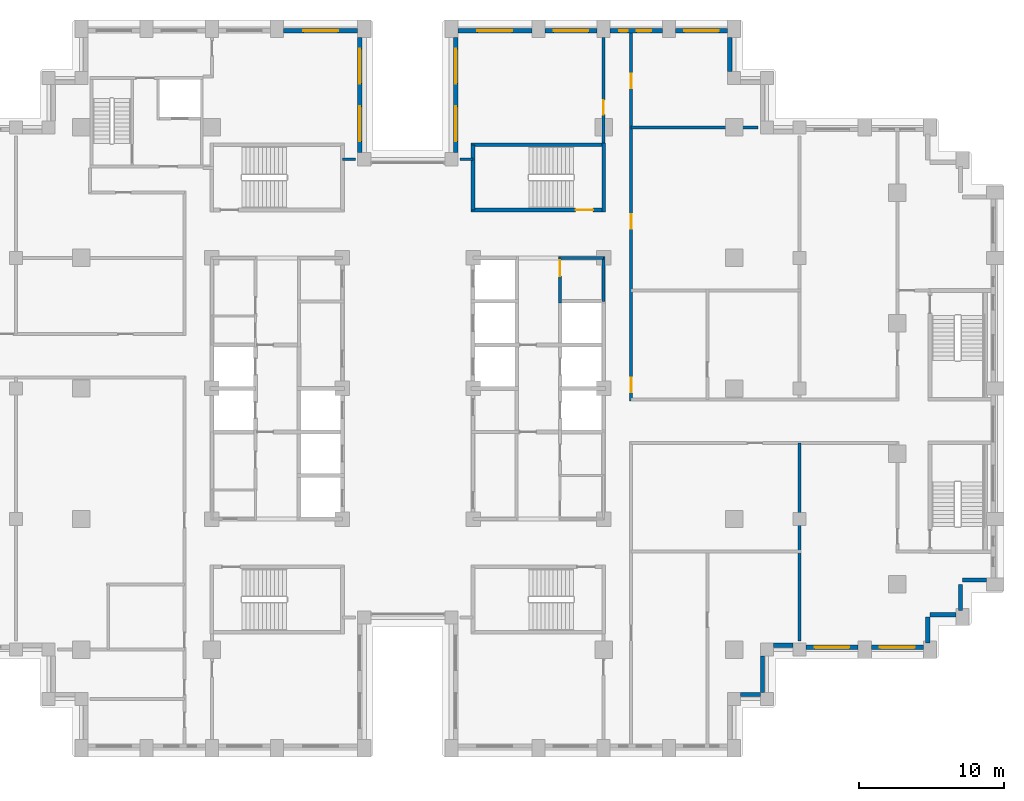
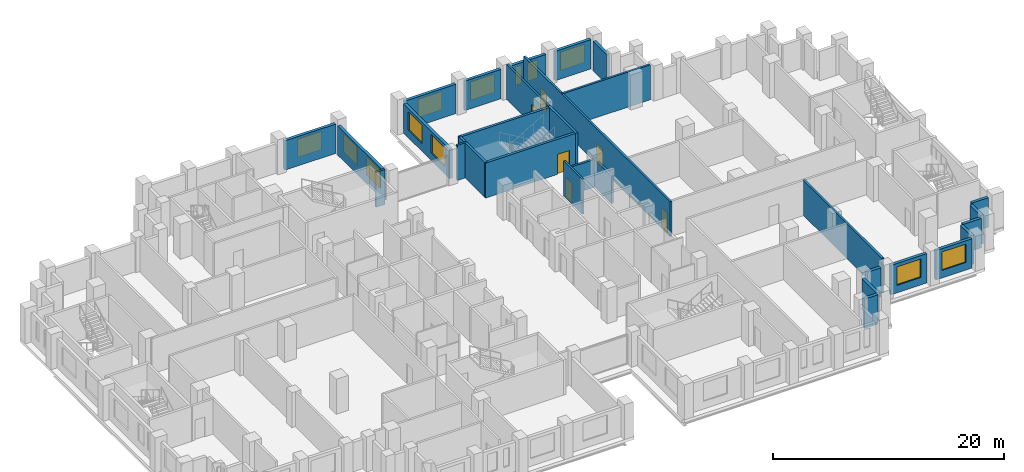
# One storey, part 11 of 16: 30 walls, 12 windows, 6 doors, 18 openings.
"""IFC4 building model written with IfcOpenShell, lengths in metres."""

from ifc_helpers import new_model, si_unit, direction, frame, frame_2d, origin, place, context, subcontext, project, spatial, rectangle, extrude, material, layer, layer_set, type_object, element, fill, save


model = new_model("IFC4")

# Units and contexts
model_context = context("Model", 3, precision=1e-05, world=origin(), true_north=direction((0.0, 1.0)))
body_context = subcontext(model_context, "Body", "Model", "MODEL_VIEW")
ifc_project = project(units=[si_unit("LENGTHUNIT", "METRE"), si_unit("AREAUNIT", "SQUARE_METRE"), si_unit("VOLUMEUNIT", "CUBIC_METRE"), si_unit("PLANEANGLEUNIT", "RADIAN"), si_unit("MASSUNIT", "GRAM", prefix="KILO")], contexts=[model_context])

# Site, building, storey
site_placement = place(None, origin())
site = spatial("IfcSite", under=ifc_project, at=site_placement, CompositionType="ELEMENT")
building_placement = place(site_placement, origin())
building = spatial("IfcBuilding", under=site, at=building_placement, Name="Corbelhall Arena Tower", CompositionType="ELEMENT")
storey_placement = place(building_placement, frame((0.0, 0.0, 72.0)))
storey = spatial("IfcBuildingStorey", under=building, at=storey_placement, Name="L10", CompositionType="ELEMENT", Elevation=72.0)

# Walls
ifc_material_1 = material(Name="Precast concrete C40/50 with granite facing", Category="masonry")
ifc_layer_1 = layer(ifc_material_1, 0.300048828125)
ifc_layer_set_1 = layer_set([ifc_layer_1], Name="EV-IW1 Infill panel 300")
wall_type_1 = type_object("IfcWallType", Name="EV-IW1 Infill panel 300", PredefinedType="SOLIDWALL", material=ifc_layer_set_1)
for number, where, z_axis, x_axis, name in (
    (1, (35.85009765625, -17.550048828125, 0.0), (0.0, 0.0, 1.0), (0.0, 1.0, 0.0), "Infill panel IW1"),
    (2, (37.800048828125, -15.60009765625, 0.0), (0.0, 0.0, 1.0), (-1.0, 0.0, 0.0), "Infill panel IW1"),
    (3, (38.10009765625, -15.300048828125, 0.0), (0.0, 0.0, 1.0), (0.0, 1.0, 0.0), "Infill panel IW1"),
):
    element("IfcWall", number, at=place(storey_placement, frame(where, z_axis=z_axis, x_axis=x_axis)), inside=storey, type_object=wall_type_1, Name=name, PredefinedType="SOLIDWALL", context=body_context, shape_type="SweptSolid", body=[
        extrude(rectangle(XDim=1.800048828125, YDim=0.300048828125, at=frame_2d((0.89990234375, 0.0))), origin(), (0.0, 0.0, 1.0), 3.10009765625),
    ])
wall_1_placement = place(storey_placement, frame((39.89990234375, -13.199951171875, 0.0), z_axis=(0.0, 0.0, 1.0), x_axis=(-1.0, 0.0, 0.0)))
element("IfcWall", 4, at=wall_1_placement, inside=storey, type_object=wall_type_1, Name="Infill panel IW1", PredefinedType="SOLIDWALL", context=body_context, shape_type="SweptSolid", body=[
    extrude(rectangle(XDim=1.64990234375, YDim=0.300048828125, at=frame_2d((0.824951171875, 0.0))), origin(), (0.0, 0.0, 1.0), 3.10009765625),
])
wall_2_placement = place(storey_placement, frame((22.949951171875, -21.10009765625, 0.0), z_axis=(0.0, 0.0, 1.0), x_axis=(1.0, 0.0, 0.0)))
element("IfcWall", 5, at=wall_2_placement, inside=storey, type_object=wall_type_1, Name="Infill panel IW1", PredefinedType="SOLIDWALL", context=body_context, shape_type="SweptSolid", body=[
    extrude(rectangle(XDim=1.35009765625, YDim=0.300048828125, at=frame_2d((0.675048828125, 0.0))), origin(), (0.0, 0.0, 1.0), 3.10009765625),
])
wall_3_placement = place(storey_placement, frame((24.449951171875, -20.949951171875, 0.0), z_axis=(0.0, 0.0, 1.0), x_axis=(0.0, 1.0, 0.0)))
element("IfcWall", 6, at=wall_3_placement, inside=storey, type_object=wall_type_1, Name="Infill panel IW1", PredefinedType="SOLIDWALL", context=body_context, shape_type="SweptSolid", body=[
    extrude(rectangle(XDim=2.5, YDim=0.300048828125, at=frame_2d((1.25, 0.0))), origin(), (0.0, 0.0, 1.0), 3.10009765625),
])
wall_4_placement = place(storey_placement, frame((25.199951171875, -17.699951171875, 0.0), z_axis=(0.0, 0.0, 1.0), x_axis=(1.0, 0.0, 0.0)))
element("IfcWall", 7, at=wall_4_placement, inside=storey, type_object=wall_type_1, Name="Infill panel IW1", PredefinedType="SOLIDWALL", context=body_context, shape_type="SweptSolid", body=[
    extrude(rectangle(XDim=1.35009765625, YDim=0.300048828125, at=frame_2d((0.675048828125, 0.0))), origin(), (0.0, 0.0, 1.0), 3.10009765625),
])

# Wall, opening, window
wall_5_placement = place(storey_placement, frame((27.449951171875, -17.85009765625, 0.0), z_axis=(0.0, 0.0, 1.0), x_axis=(1.0, 0.0, 0.0)))
wall_5 = element("IfcWall", 8, at=wall_5_placement, inside=storey, type_object=wall_type_1, Name="Infill panel IW1", PredefinedType="SOLIDWALL", context=body_context, shape_type="SweptSolid", body=[
    extrude(rectangle(XDim=3.60009765625, YDim=0.300048828125, at=frame_2d((1.800048828125, 0.0))), origin(), (0.0, 0.0, 1.0), 3.10009765625),
])
opening_1_placement = place(wall_5_placement, frame((0.60009765625, 0.0, 0.800048828125)))
opening_1 = element("IfcOpeningElement", 9, at=opening_1_placement, cuts=wall_5, Name="Opening WN1", PredefinedType="OPENING", context=body_context, shape_type="SweptSolid", body=[
    extrude(rectangle(XDim=2.39990234375, YDim=1.949951171875, at=frame_2d((1.199951171875, 0.97509765625))), frame((0.0, 0.14990234375, 0.0), z_axis=(0.0, -1.0, 0.0), x_axis=(1.0, 0.0, 0.0)), (0.0, 0.0, 1.0), 0.300048828125),
])
ifc_material_2 = material(Name="Aluminium black anodised", Category="aluminium")
window_type_1 = type_object("IfcWindowType", Name="EV-WN1 Office window", PartitioningType="SINGLE_PANEL", PredefinedType="WINDOW", material=ifc_material_2)
window_1_placement = place(opening_1_placement, origin())
window_1 = element("IfcWindow", 10, at=window_1_placement, inside=storey, type_object=window_type_1, Name="Window WN1", OverallHeight=1.949951171875, OverallWidth=2.39990234375, PartitioningType="SINGLE_PANEL", PredefinedType="WINDOW", context=body_context, shape_type="SweptSolid", body=[
    extrude(rectangle(XDim=2.39990234375, YDim=1.949951171875, at=frame_2d((1.199951171875, 0.97509765625))), frame((0.0, 0.030029296875, 0.0), z_axis=(0.0, -1.0, 0.0), x_axis=(1.0, 0.0, 0.0)), (0.0, 0.0, 1.0), 0.06005859375),
])
fill(opening_1, window_1)

wall_6_placement = place(storey_placement, frame((31.949951171875, -17.85009765625, 0.0), z_axis=(0.0, 0.0, 1.0), x_axis=(1.0, 0.0, 0.0)))
wall_6 = element("IfcWall", 11, at=wall_6_placement, inside=storey, type_object=wall_type_1, Name="Infill panel IW1", PredefinedType="SOLIDWALL", context=body_context, shape_type="SweptSolid", body=[
    extrude(rectangle(XDim=3.60009765625, YDim=0.300048828125, at=frame_2d((1.800048828125, 0.0))), origin(), (0.0, 0.0, 1.0), 3.10009765625),
])
opening_2_placement = place(wall_6_placement, frame((0.60009765625, 0.0, 0.800048828125)))
opening_2 = element("IfcOpeningElement", 12, at=opening_2_placement, cuts=wall_6, Name="Opening WN1", PredefinedType="OPENING", context=body_context, shape_type="SweptSolid", body=[
    extrude(rectangle(XDim=2.39990234375, YDim=1.949951171875, at=frame_2d((1.199951171875, 0.97509765625))), frame((0.0, 0.14990234375, 0.0), z_axis=(0.0, -1.0, 0.0), x_axis=(1.0, 0.0, 0.0)), (0.0, 0.0, 1.0), 0.300048828125),
])
window_2_placement = place(opening_2_placement, origin())
window_2 = element("IfcWindow", 13, at=window_2_placement, inside=storey, type_object=window_type_1, Name="Window WN1", OverallHeight=1.949951171875, OverallWidth=2.39990234375, PartitioningType="SINGLE_PANEL", PredefinedType="WINDOW", context=body_context, shape_type="SweptSolid", body=[
    extrude(rectangle(XDim=2.39990234375, YDim=1.949951171875, at=frame_2d((1.199951171875, 0.97509765625))), frame((0.0, 0.030029296875, 0.0), z_axis=(0.0, -1.0, 0.0), x_axis=(1.0, 0.0, 0.0)), (0.0, 0.0, 1.0), 0.06005859375),
])
fill(opening_2, window_2)

# Wall
wall_7_placement = place(storey_placement, frame((22.199951171875, 21.85009765625, 0.0), z_axis=(0.0, 0.0, 1.0), x_axis=(0.0, 1.0, 0.0)))
element("IfcWall", 14, at=wall_7_placement, inside=storey, type_object=wall_type_1, Name="Infill panel IW1", PredefinedType="SOLIDWALL", context=body_context, shape_type="SweptSolid", body=[
    extrude(rectangle(XDim=2.349853515625, YDim=0.300048828125, at=frame_2d((1.1748046875, 0.0))), origin(), (0.0, 0.0, 1.0), 3.10009765625),
])

# Wall, opening, window
wall_8_placement = place(storey_placement, frame((22.050048828125, 24.64990234375, 0.0), z_axis=(0.0, 0.0, 1.0), x_axis=(-1.0, 0.0, 0.0)))
wall_8 = element("IfcWall", 15, at=wall_8_placement, inside=storey, type_object=wall_type_1, Name="Infill panel IW1", PredefinedType="SOLIDWALL", context=body_context, shape_type="SweptSolid", body=[
    extrude(rectangle(XDim=3.60009765625, YDim=0.300048828125, at=frame_2d((1.800048828125, 0.0))), origin(), (0.0, 0.0, 1.0), 3.10009765625),
])
opening_3_placement = place(wall_8_placement, frame((0.60009765625, 0.0, 0.800048828125)))
opening_3 = element("IfcOpeningElement", 16, at=opening_3_placement, cuts=wall_8, Name="Opening WN1", PredefinedType="OPENING", context=body_context, shape_type="SweptSolid", body=[
    extrude(rectangle(XDim=2.39990234375, YDim=1.949951171875, at=frame_2d((1.199951171875, 0.97509765625))), frame((0.0, 0.14990234375, 0.0), z_axis=(0.0, -1.0, 0.0), x_axis=(1.0, 0.0, 0.0)), (0.0, 0.0, 1.0), 0.300048828125),
])
window_3_placement = place(opening_3_placement, origin())
window_3 = element("IfcWindow", 17, at=window_3_placement, inside=storey, type_object=window_type_1, Name="Window WN1", OverallHeight=1.949951171875, OverallWidth=2.39990234375, PartitioningType="SINGLE_PANEL", PredefinedType="WINDOW", context=body_context, shape_type="SweptSolid", body=[
    extrude(rectangle(XDim=2.39990234375, YDim=1.949951171875, at=frame_2d((1.199951171875, 0.97509765625))), frame((0.0, 0.030029296875, 0.0), z_axis=(0.0, -1.0, 0.0), x_axis=(1.0, 0.0, 0.0)), (0.0, 0.0, 1.0), 0.06005859375),
])
fill(opening_3, window_3)

# Wall, openings, windows
wall_9_placement = place(storey_placement, frame((17.550048828125, 24.64990234375, 0.0), z_axis=(0.0, 0.0, 1.0), x_axis=(-1.0, 0.0, 0.0)))
wall_9 = element("IfcWall", 18, at=wall_9_placement, inside=storey, type_object=wall_type_1, Name="Infill panel IW1", PredefinedType="SOLIDWALL", context=body_context, shape_type="SweptSolid", body=[
    extrude(rectangle(XDim=3.60009765625, YDim=0.300048828125, at=frame_2d((1.800048828125, 0.0))), origin(), (0.0, 0.0, 1.0), 3.10009765625),
])
opening_4_placement = place(wall_9_placement, frame((0.77490234375, 0.0, 0.800048828125)))
opening_4 = element("IfcOpeningElement", 19, at=opening_4_placement, cuts=wall_9, Name="Opening WN6", PredefinedType="OPENING", context=body_context, shape_type="SweptSolid", body=[
    extrude(rectangle(XDim=1.0, YDim=1.949951171875, at=frame_2d((0.5, 0.97509765625))), frame((0.0, 0.14990234375, 0.0), z_axis=(0.0, -1.0, 0.0), x_axis=(1.0, 0.0, 0.0)), (0.0, 0.0, 1.0), 0.300048828125),
])
opening_5_placement = place(wall_9_placement, frame((2.375, 0.0, 0.800048828125)))
opening_5 = element("IfcOpeningElement", 20, at=opening_5_placement, cuts=wall_9, Name="Opening WN5", PredefinedType="OPENING", context=body_context, shape_type="SweptSolid", body=[
    extrude(rectangle(XDim=0.60009765625, YDim=1.949951171875, at=frame_2d((0.300048828125, 0.97509765625))), frame((0.0, 0.14990234375, 0.0), z_axis=(0.0, -1.0, 0.0), x_axis=(1.0, 0.0, 0.0)), (0.0, 0.0, 1.0), 0.300048828125),
])
window_type_2 = type_object("IfcWindowType", Name="EV-WN5 Office window 600", PartitioningType="SINGLE_PANEL", PredefinedType="WINDOW", material=ifc_material_2)
window_4_placement = place(opening_5_placement, origin())
window_4 = element("IfcWindow", 21, at=window_4_placement, inside=storey, type_object=window_type_2, Name="Window WN5", OverallHeight=1.949951171875, OverallWidth=0.60009765625, PartitioningType="SINGLE_PANEL", PredefinedType="WINDOW", context=body_context, shape_type="SweptSolid", body=[
    extrude(rectangle(XDim=0.60009765625, YDim=1.949951171875, at=frame_2d((0.300048828125, 0.97509765625))), frame((0.0, 0.030029296875, 0.0), z_axis=(0.0, -1.0, 0.0), x_axis=(1.0, 0.0, 0.0)), (0.0, 0.0, 1.0), 0.06005859375),
])
fill(opening_5, window_4)
window_type_3 = type_object("IfcWindowType", Name="EV-WN6 Office window 1000", PartitioningType="SINGLE_PANEL", PredefinedType="WINDOW", material=ifc_material_2)
window_5_placement = place(opening_4_placement, origin())
window_5 = element("IfcWindow", 22, at=window_5_placement, inside=storey, type_object=window_type_3, Name="Window WN6", OverallHeight=1.949951171875, OverallWidth=1.0, PartitioningType="SINGLE_PANEL", PredefinedType="WINDOW", context=body_context, shape_type="SweptSolid", body=[
    extrude(rectangle(XDim=1.0, YDim=1.949951171875, at=frame_2d((0.5, 0.97509765625))), frame((0.0, 0.030029296875, 0.0), z_axis=(0.0, -1.0, 0.0), x_axis=(1.0, 0.0, 0.0)), (0.0, 0.0, 1.0), 0.06005859375),
])
fill(opening_4, window_5)

# Wall, opening, window
wall_10_placement = place(storey_placement, frame((13.050048828125, 24.64990234375, 0.0), z_axis=(0.0, 0.0, 1.0), x_axis=(-1.0, 0.0, 0.0)))
wall_10 = element("IfcWall", 23, at=wall_10_placement, inside=storey, type_object=wall_type_1, Name="Infill panel IW1", PredefinedType="SOLIDWALL", context=body_context, shape_type="SweptSolid", body=[
    extrude(rectangle(XDim=3.60009765625, YDim=0.300048828125, at=frame_2d((1.800048828125, 0.0))), origin(), (0.0, 0.0, 1.0), 3.10009765625),
])
opening_6_placement = place(wall_10_placement, frame((0.60009765625, 0.0, 0.800048828125)))
opening_6 = element("IfcOpeningElement", 24, at=opening_6_placement, cuts=wall_10, Name="Opening WN1", PredefinedType="OPENING", context=body_context, shape_type="SweptSolid", body=[
    extrude(rectangle(XDim=2.39990234375, YDim=1.949951171875, at=frame_2d((1.199951171875, 0.97509765625))), frame((0.0, 0.14990234375, 0.0), z_axis=(0.0, -1.0, 0.0), x_axis=(1.0, 0.0, 0.0)), (0.0, 0.0, 1.0), 0.300048828125),
])
window_6_placement = place(opening_6_placement, origin())
window_6 = element("IfcWindow", 25, at=window_6_placement, inside=storey, type_object=window_type_1, Name="Window WN1", OverallHeight=1.949951171875, OverallWidth=2.39990234375, PartitioningType="SINGLE_PANEL", PredefinedType="WINDOW", context=body_context, shape_type="SweptSolid", body=[
    extrude(rectangle(XDim=2.39990234375, YDim=1.949951171875, at=frame_2d((1.199951171875, 0.97509765625))), frame((0.0, 0.030029296875, 0.0), z_axis=(0.0, -1.0, 0.0), x_axis=(1.0, 0.0, 0.0)), (0.0, 0.0, 1.0), 0.06005859375),
])
fill(opening_6, window_6)

wall_11_placement = place(storey_placement, frame((8.550048828125, 24.64990234375, 0.0), z_axis=(0.0, 0.0, 1.0), x_axis=(-1.0, 0.0, 0.0)))
wall_11 = element("IfcWall", 26, at=wall_11_placement, inside=storey, type_object=wall_type_1, Name="Infill panel IW1", PredefinedType="SOLIDWALL", context=body_context, shape_type="SweptSolid", body=[
    extrude(rectangle(XDim=5.10009765625, YDim=0.300048828125, at=frame_2d((2.550048828125, 0.0))), origin(), (0.0, 0.0, 1.0), 3.10009765625),
])
opening_7_placement = place(wall_11_placement, frame((1.35009765625, 0.0, 0.800048828125)))
opening_7 = element("IfcOpeningElement", 27, at=opening_7_placement, cuts=wall_11, Name="Opening WN1", PredefinedType="OPENING", context=body_context, shape_type="SweptSolid", body=[
    extrude(rectangle(XDim=2.39990234375, YDim=1.949951171875, at=frame_2d((1.199951171875, 0.97509765625))), frame((0.0, 0.14990234375, 0.0), z_axis=(0.0, -1.0, 0.0), x_axis=(1.0, 0.0, 0.0)), (0.0, 0.0, 1.0), 0.300048828125),
])
window_7_placement = place(opening_7_placement, origin())
window_7 = element("IfcWindow", 28, at=window_7_placement, inside=storey, type_object=window_type_1, Name="Window WN1", OverallHeight=1.949951171875, OverallWidth=2.39990234375, PartitioningType="SINGLE_PANEL", PredefinedType="WINDOW", context=body_context, shape_type="SweptSolid", body=[
    extrude(rectangle(XDim=2.39990234375, YDim=1.949951171875, at=frame_2d((1.199951171875, 0.97509765625))), frame((0.0, 0.030029296875, 0.0), z_axis=(0.0, -1.0, 0.0), x_axis=(1.0, 0.0, 0.0)), (0.0, 0.0, 1.0), 0.06005859375),
])
fill(opening_7, window_7)

# Wall, openings, windows
wall_12_placement = place(storey_placement, frame((3.300048828125, 24.199951171875, 0.0), z_axis=(0.0, 0.0, 1.0), x_axis=(0.0, -1.0, 0.0)))
wall_12 = element("IfcWall", 29, at=wall_12_placement, inside=storey, type_object=wall_type_1, Name="Infill panel IW1", PredefinedType="SOLIDWALL", context=body_context, shape_type="SweptSolid", body=[
    extrude(rectangle(XDim=7.949951171875, YDim=0.300048828125, at=frame_2d((3.97509765625, 0.0))), origin(), (0.0, 0.0, 1.0), 3.10009765625),
])
opening_8_placement = place(wall_12_placement, frame((0.78759765625, 0.0, 0.800048828125)))
opening_8 = element("IfcOpeningElement", 30, at=opening_8_placement, cuts=wall_12, Name="Opening WN1", PredefinedType="OPENING", context=body_context, shape_type="SweptSolid", body=[
    extrude(rectangle(XDim=2.39990234375, YDim=1.949951171875, at=frame_2d((1.199951171875, 0.97509765625))), frame((0.0, 0.14990234375, 0.0), z_axis=(0.0, -1.0, 0.0), x_axis=(1.0, 0.0, 0.0)), (0.0, 0.0, 1.0), 0.300048828125),
])
opening_9_placement = place(wall_12_placement, frame((4.762451171875, 0.0, 0.800048828125)))
opening_9 = element("IfcOpeningElement", 31, at=opening_9_placement, cuts=wall_12, Name="Opening WN1", PredefinedType="OPENING", context=body_context, shape_type="SweptSolid", body=[
    extrude(rectangle(XDim=2.39990234375, YDim=1.949951171875, at=frame_2d((1.199951171875, 0.97509765625))), frame((0.0, 0.14990234375, 0.0), z_axis=(0.0, -1.0, 0.0), x_axis=(1.0, 0.0, 0.0)), (0.0, 0.0, 1.0), 0.300048828125),
])
window_8_placement = place(opening_8_placement, origin())
window_8 = element("IfcWindow", 32, at=window_8_placement, inside=storey, type_object=window_type_1, Name="Window WN1", OverallHeight=1.949951171875, OverallWidth=2.39990234375, PartitioningType="SINGLE_PANEL", PredefinedType="WINDOW", context=body_context, shape_type="SweptSolid", body=[
    extrude(rectangle(XDim=2.39990234375, YDim=1.949951171875, at=frame_2d((1.199951171875, 0.97509765625))), frame((0.0, 0.030029296875, 0.0), z_axis=(0.0, -1.0, 0.0), x_axis=(1.0, 0.0, 0.0)), (0.0, 0.0, 1.0), 0.06005859375),
])
fill(opening_8, window_8)
window_9_placement = place(opening_9_placement, origin())
window_9 = element("IfcWindow", 33, at=window_9_placement, inside=storey, type_object=window_type_1, Name="Window WN1", OverallHeight=1.949951171875, OverallWidth=2.39990234375, PartitioningType="SINGLE_PANEL", PredefinedType="WINDOW", context=body_context, shape_type="SweptSolid", body=[
    extrude(rectangle(XDim=2.39990234375, YDim=1.949951171875, at=frame_2d((1.199951171875, 0.97509765625))), frame((0.0, 0.030029296875, 0.0), z_axis=(0.0, -1.0, 0.0), x_axis=(1.0, 0.0, 0.0)), (0.0, 0.0, 1.0), 0.06005859375),
])
fill(opening_9, window_9)

wall_13_placement = place(storey_placement, frame((-3.300048828125, 16.25, 0.0), z_axis=(0.0, 0.0, 1.0), x_axis=(0.0, 1.0, 0.0)))
wall_13 = element("IfcWall", 34, at=wall_13_placement, inside=storey, type_object=wall_type_1, Name="Infill panel IW1", PredefinedType="SOLIDWALL", context=body_context, shape_type="SweptSolid", body=[
    extrude(rectangle(XDim=7.949951171875, YDim=0.300048828125, at=frame_2d((3.97509765625, 0.0))), origin(), (0.0, 0.0, 1.0), 3.10009765625),
])
opening_10_placement = place(wall_13_placement, frame((0.78759765625, 0.0, 0.800048828125)))
opening_10 = element("IfcOpeningElement", 35, at=opening_10_placement, cuts=wall_13, Name="Opening WN1", PredefinedType="OPENING", context=body_context, shape_type="SweptSolid", body=[
    extrude(rectangle(XDim=2.39990234375, YDim=1.949951171875, at=frame_2d((1.199951171875, 0.97509765625))), frame((0.0, 0.14990234375, 0.0), z_axis=(0.0, -1.0, 0.0), x_axis=(1.0, 0.0, 0.0)), (0.0, 0.0, 1.0), 0.300048828125),
])
opening_11_placement = place(wall_13_placement, frame((4.762451171875, 0.0, 0.800048828125)))
opening_11 = element("IfcOpeningElement", 36, at=opening_11_placement, cuts=wall_13, Name="Opening WN1", PredefinedType="OPENING", context=body_context, shape_type="SweptSolid", body=[
    extrude(rectangle(XDim=2.39990234375, YDim=1.949951171875, at=frame_2d((1.199951171875, 0.97509765625))), frame((0.0, 0.14990234375, 0.0), z_axis=(0.0, -1.0, 0.0), x_axis=(1.0, 0.0, 0.0)), (0.0, 0.0, 1.0), 0.300048828125),
])
window_10_placement = place(opening_10_placement, origin())
window_10 = element("IfcWindow", 37, at=window_10_placement, inside=storey, type_object=window_type_1, Name="Window WN1", OverallHeight=1.949951171875, OverallWidth=2.39990234375, PartitioningType="SINGLE_PANEL", PredefinedType="WINDOW", context=body_context, shape_type="SweptSolid", body=[
    extrude(rectangle(XDim=2.39990234375, YDim=1.949951171875, at=frame_2d((1.199951171875, 0.97509765625))), frame((0.0, 0.030029296875, 0.0), z_axis=(0.0, -1.0, 0.0), x_axis=(1.0, 0.0, 0.0)), (0.0, 0.0, 1.0), 0.06005859375),
])
fill(opening_10, window_10)
window_11_placement = place(opening_11_placement, origin())
window_11 = element("IfcWindow", 38, at=window_11_placement, inside=storey, type_object=window_type_1, Name="Window WN1", OverallHeight=1.949951171875, OverallWidth=2.39990234375, PartitioningType="SINGLE_PANEL", PredefinedType="WINDOW", context=body_context, shape_type="SweptSolid", body=[
    extrude(rectangle(XDim=2.39990234375, YDim=1.949951171875, at=frame_2d((1.199951171875, 0.97509765625))), frame((0.0, 0.030029296875, 0.0), z_axis=(0.0, -1.0, 0.0), x_axis=(1.0, 0.0, 0.0)), (0.0, 0.0, 1.0), 0.06005859375),
])
fill(opening_11, window_11)

# Wall, opening, window
wall_14_placement = place(storey_placement, frame((-3.449951171875, 24.64990234375, 0.0), z_axis=(0.0, 0.0, 1.0), x_axis=(-1.0, 0.0, 0.0)))
wall_14 = element("IfcWall", 39, at=wall_14_placement, inside=storey, type_object=wall_type_1, Name="Infill panel IW1", PredefinedType="SOLIDWALL", context=body_context, shape_type="SweptSolid", body=[
    extrude(rectangle(XDim=5.10009765625, YDim=0.300048828125, at=frame_2d((2.550048828125, 0.0))), origin(), (0.0, 0.0, 1.0), 3.10009765625),
])
opening_12_placement = place(wall_14_placement, frame((1.35009765625, 0.0, 0.800048828125)))
opening_12 = element("IfcOpeningElement", 40, at=opening_12_placement, cuts=wall_14, Name="Opening WN1", PredefinedType="OPENING", context=body_context, shape_type="SweptSolid", body=[
    extrude(rectangle(XDim=2.39990234375, YDim=1.949951171875, at=frame_2d((1.199951171875, 0.97509765625))), frame((0.0, 0.14990234375, 0.0), z_axis=(0.0, -1.0, 0.0), x_axis=(1.0, 0.0, 0.0)), (0.0, 0.0, 1.0), 0.300048828125),
])
window_12_placement = place(opening_12_placement, origin())
window_12 = element("IfcWindow", 41, at=window_12_placement, inside=storey, type_object=window_type_1, Name="Window WN1", OverallHeight=1.949951171875, OverallWidth=2.39990234375, PartitioningType="SINGLE_PANEL", PredefinedType="WINDOW", context=body_context, shape_type="SweptSolid", body=[
    extrude(rectangle(XDim=2.39990234375, YDim=1.949951171875, at=frame_2d((1.199951171875, 0.97509765625))), frame((0.0, 0.030029296875, 0.0), z_axis=(0.0, -1.0, 0.0), x_axis=(1.0, 0.0, 0.0)), (0.0, 0.0, 1.0), 0.06005859375),
])
fill(opening_12, window_12)

# Walls
ifc_material_3 = material(Name="Gypsum board on steel stud, acoustic", Category="steel")
ifc_layer_2 = layer(ifc_material_3, 0.199951171875)
ifc_layer_set_2 = layer_set([ifc_layer_2], Name="IN-W-DM200")
wall_type_2 = type_object("IfcWallType", Name="IN-W-DM200", PredefinedType="PARTITIONING", material=ifc_layer_set_2)
for number, where, z_axis, x_axis, name in (
    (42, (-4.5, 15.800048828125, 0.0), (0.0, 0.0, 1.0), (1.0, 0.0, 0.0), "Partition 023"),
    (43, (3.60009765625, 15.800048828125, 0.0), (0.0, 0.0, 1.0), (1.0, 0.0, 0.0), "Partition 025"),
):
    element("IfcWall", number, at=place(storey_placement, frame(where, z_axis=z_axis, x_axis=x_axis)), inside=storey, type_object=wall_type_2, Name=name, PredefinedType="PARTITIONING", context=body_context, shape_type="SweptSolid", body=[
        extrude(rectangle(XDim=0.89990234375, YDim=0.199951171875, at=frame_2d((0.449951171875, 0.0))), origin(), (0.0, 0.0, 1.0), 3.699951171875),
    ])

# Wall, opening, door
wall_15_placement = place(storey_placement, frame((13.5, 16.675048828125, 0.0), z_axis=(0.0, 0.0, 1.0), x_axis=(0.0, 1.0, 0.0)))
wall_15 = element("IfcWall", 44, at=wall_15_placement, inside=storey, type_object=wall_type_2, Name="Partition 028", PredefinedType="PARTITIONING", context=body_context, shape_type="SweptSolid", body=[
    extrude(rectangle(XDim=7.52490234375, YDim=0.199951171875, at=frame_2d((3.762451171875, 0.0))), origin(), (0.0, 0.0, 1.0), 3.699951171875),
])
opening_13_placement = place(wall_15_placement, frame((2.199951171875, 0.0, 0.0)))
opening_13 = element("IfcOpeningElement", 45, at=opening_13_placement, cuts=wall_15, Name="Opening 01024", PredefinedType="OPENING", context=body_context, shape_type="SweptSolid", body=[
    extrude(rectangle(XDim=1.0, YDim=2.10009765625, at=frame_2d((0.5, 1.050048828125))), frame((0.0, 0.10009765625, 0.0), z_axis=(0.0, -1.0, 0.0), x_axis=(1.0, 0.0, 0.0)), (0.0, 0.0, 1.0), 0.199951171875),
])
ifc_material_4 = material(Name="Steel door set", Category="steel")
door_type_1 = type_object("IfcDoorType", Name="IN-D-SW100", OperationType="NOTDEFINED", PredefinedType="DOOR", material=ifc_material_4)
door_1_placement = place(opening_13_placement, origin())
door_1 = element("IfcDoor", 46, at=door_1_placement, inside=storey, type_object=door_type_1, Name="Door 024", OperationType="SINGLE_SWING_LEFT", OverallHeight=2.10009765625, OverallWidth=1.0, PredefinedType="DOOR", context=body_context, shape_type="SweptSolid", body=[
    extrude(rectangle(XDim=1.0, YDim=2.10009765625, at=frame_2d((0.5, 1.050048828125))), frame((0.0, 0.02490234375, 0.0), z_axis=(0.0, -1.0, 0.0), x_axis=(1.0, 0.0, 0.0)), (0.0, 0.0, 1.0), 0.050048828125),
])
fill(opening_13, door_1)

# Wall, openings, doors
wall_16_placement = place(storey_placement, frame((15.39990234375, 24.5, 0.0), z_axis=(0.0, 0.0, 1.0), x_axis=(0.0, -1.0, 0.0)))
wall_16 = element("IfcWall", 47, at=wall_16_placement, inside=storey, type_object=wall_type_2, Name="Partition 033", PredefinedType="PARTITIONING", context=body_context, shape_type="SweptSolid", body=[
    extrude(rectangle(XDim=25.35009765625, YDim=0.199951171875, at=frame_2d((12.675048828125, 0.0))), origin(), (0.0, 0.0, 1.0), 3.699951171875),
])
opening_14_placement = place(wall_16_placement, frame((23.75, 0.0, 0.0)))
opening_14 = element("IfcOpeningElement", 48, at=opening_14_placement, cuts=wall_16, Name="Opening 01033", PredefinedType="OPENING", context=body_context, shape_type="SweptSolid", body=[
    extrude(rectangle(XDim=1.0, YDim=2.10009765625, at=frame_2d((0.5, 1.050048828125))), frame((0.0, 0.10009765625, 0.0), z_axis=(0.0, -1.0, 0.0), x_axis=(1.0, 0.0, 0.0)), (0.0, 0.0, 1.0), 0.199951171875),
])
opening_15_placement = place(wall_16_placement, frame((12.5, 0.0, 0.0)))
opening_15 = element("IfcOpeningElement", 49, at=opening_15_placement, cuts=wall_16, Name="Opening 01035", PredefinedType="OPENING", context=body_context, shape_type="SweptSolid", body=[
    extrude(rectangle(XDim=1.0, YDim=2.10009765625, at=frame_2d((0.5, 1.050048828125))), frame((0.0, 0.10009765625, 0.0), z_axis=(0.0, -1.0, 0.0), x_axis=(1.0, 0.0, 0.0)), (0.0, 0.0, 1.0), 0.199951171875),
])
opening_16_placement = place(wall_16_placement, frame((2.800048828125, 0.0, 0.0)))
opening_16 = element("IfcOpeningElement", 50, at=opening_16_placement, cuts=wall_16, Name="Opening 01036", PredefinedType="OPENING", context=body_context, shape_type="SweptSolid", body=[
    extrude(rectangle(XDim=1.0, YDim=2.10009765625, at=frame_2d((0.5, 1.050048828125))), frame((0.0, 0.10009765625, 0.0), z_axis=(0.0, -1.0, 0.0), x_axis=(1.0, 0.0, 0.0)), (0.0, 0.0, 1.0), 0.199951171875),
])
door_2_placement = place(opening_14_placement, origin())
door_2 = element("IfcDoor", 51, at=door_2_placement, inside=storey, type_object=door_type_1, Name="Door 033", OperationType="SINGLE_SWING_RIGHT", OverallHeight=2.10009765625, OverallWidth=1.0, PredefinedType="DOOR", context=body_context, shape_type="SweptSolid", body=[
    extrude(rectangle(XDim=1.0, YDim=2.10009765625, at=frame_2d((0.5, 1.050048828125))), frame((0.0, 0.02490234375, 0.0), z_axis=(0.0, -1.0, 0.0), x_axis=(1.0, 0.0, 0.0)), (0.0, 0.0, 1.0), 0.050048828125),
])
fill(opening_14, door_2)
door_3_placement = place(opening_15_placement, origin())
door_3 = element("IfcDoor", 52, at=door_3_placement, inside=storey, type_object=door_type_1, Name="Door 035", OperationType="SINGLE_SWING_RIGHT", OverallHeight=2.10009765625, OverallWidth=1.0, PredefinedType="DOOR", context=body_context, shape_type="SweptSolid", body=[
    extrude(rectangle(XDim=1.0, YDim=2.10009765625, at=frame_2d((0.5, 1.050048828125))), frame((0.0, 0.02490234375, 0.0), z_axis=(0.0, -1.0, 0.0), x_axis=(1.0, 0.0, 0.0)), (0.0, 0.0, 1.0), 0.050048828125),
])
fill(opening_15, door_3)
door_4_placement = place(opening_16_placement, origin())
door_4 = element("IfcDoor", 53, at=door_4_placement, inside=storey, type_object=door_type_1, Name="Door 036", OperationType="SINGLE_SWING_LEFT", OverallHeight=2.10009765625, OverallWidth=1.0, PredefinedType="DOOR", context=body_context, shape_type="SweptSolid", body=[
    extrude(rectangle(XDim=1.0, YDim=2.10009765625, at=frame_2d((0.5, 1.050048828125))), frame((0.0, 0.02490234375, 0.0), z_axis=(0.0, -1.0, 0.0), x_axis=(1.0, 0.0, 0.0)), (0.0, 0.0, 1.0), 0.050048828125),
])
fill(opening_16, door_4)

# Walls
wall_17_placement = place(storey_placement, frame((15.39990234375, 18.0, 0.0), z_axis=(0.0, 0.0, 1.0), x_axis=(1.0, 0.0, 0.0)))
element("IfcWall", 54, at=wall_17_placement, inside=storey, type_object=wall_type_2, Name="Partition 034", PredefinedType="PARTITIONING", context=body_context, shape_type="SweptSolid", body=[
    extrude(rectangle(XDim=8.75, YDim=0.199951171875, at=frame_2d((4.375, 0.0))), origin(), (0.0, 0.0, 1.0), 3.699951171875),
])
wall_18_placement = place(storey_placement, frame((27.0, -3.75, 0.0), z_axis=(0.0, 0.0, 1.0), x_axis=(0.0, -1.0, 0.0)))
element("IfcWall", 55, at=wall_18_placement, inside=storey, type_object=wall_type_2, Name="Partition 037", PredefinedType="PARTITIONING", context=body_context, shape_type="SweptSolid", body=[
    extrude(rectangle(XDim=13.64990234375, YDim=0.199951171875, at=frame_2d((6.824951171875, 0.0))), origin(), (0.0, 0.0, 1.0), 3.699951171875),
])

# Wall, opening, door
ifc_material_5 = material(Name="Concrete block wall", Category="concrete")
ifc_layer_3 = layer(ifc_material_5, 0.199951171875)
ifc_layer_set_3 = layer_set([ifc_layer_3], Name="IN-W-RS200")
wall_type_3 = type_object("IfcWallType", Name="IN-W-RS200", PredefinedType="SOLIDWALL", material=ifc_layer_set_3)
wall_19_placement = place(storey_placement, frame((10.5, 9.10009765625, 0.0), z_axis=(0.0, 0.0, 1.0), x_axis=(0.0, -1.0, 0.0)))
wall_19 = element("IfcWall", 56, at=wall_19_placement, inside=storey, type_object=wall_type_3, Name="Partition 059", PredefinedType="SOLIDWALL", context=body_context, shape_type="SweptSolid", body=[
    extrude(rectangle(XDim=3.22509765625, YDim=0.199951171875, at=frame_2d((1.612548828125, 0.0))), origin(), (0.0, 0.0, 1.0), 3.699951171875),
])
opening_17_placement = place(wall_19_placement, frame((0.25, 0.0, 0.0)))
opening_17 = element("IfcOpeningElement", 57, at=opening_17_placement, cuts=wall_19, Name="Opening 01014", PredefinedType="OPENING", context=body_context, shape_type="SweptSolid", body=[
    extrude(rectangle(XDim=1.10009765625, YDim=2.10009765625, at=frame_2d((0.550048828125, 1.050048828125))), frame((0.0, 0.10009765625, 0.0), z_axis=(0.0, -1.0, 0.0), x_axis=(1.0, 0.0, 0.0)), (0.0, 0.0, 1.0), 0.199951171875),
])
door_type_2 = type_object("IfcDoorType", Name="IN-D-FD110", OperationType="NOTDEFINED", PredefinedType="DOOR", material=ifc_material_4)
door_5_placement = place(opening_17_placement, origin())
door_5 = element("IfcDoor", 58, at=door_5_placement, inside=storey, type_object=door_type_2, Name="Door 014", OperationType="SINGLE_SWING_LEFT", OverallHeight=2.10009765625, OverallWidth=1.10009765625, PredefinedType="DOOR", context=body_context, shape_type="SweptSolid", body=[
    extrude(rectangle(XDim=1.10009765625, YDim=2.10009765625, at=frame_2d((0.550048828125, 1.050048828125))), frame((0.0, 0.02490234375, 0.0), z_axis=(0.0, -1.0, 0.0), x_axis=(1.0, 0.0, 0.0)), (0.0, 0.0, 1.0), 0.050048828125),
])
fill(opening_17, door_5)

# Walls
ifc_layer_4 = layer(ifc_material_5, 0.199951171875)
ifc_layer_set_4 = layer_set([ifc_layer_4], Name="IN-W-RS200 under beam 762 mm")
wall_type_4 = type_object("IfcWallType", Name="IN-W-RS200 under beam 762 mm", PredefinedType="SOLIDWALL", material=ifc_layer_set_4)
wall_20_placement = place(storey_placement, frame((10.5, 9.0, 0.0), z_axis=(0.0, 0.0, 1.0), x_axis=(1.0, 0.0, 0.0)))
element("IfcWall", 59, at=wall_20_placement, inside=storey, type_object=wall_type_4, Name="Partition 058", PredefinedType="SOLIDWALL", context=body_context, shape_type="SweptSolid", body=[
    extrude(rectangle(XDim=3.0, YDim=0.199951171875, at=frame_2d((1.5, 0.0))), origin(), (0.0, 0.0, 1.0), 2.93798828125),
])
wall_21_placement = place(storey_placement, frame((13.5, 9.10009765625, 0.0), z_axis=(0.0, 0.0, 1.0), x_axis=(0.0, -1.0, 0.0)))
element("IfcWall", 60, at=wall_21_placement, inside=storey, type_object=wall_type_4, Name="Partition 061", PredefinedType="SOLIDWALL", context=body_context, shape_type="SweptSolid", body=[
    extrude(rectangle(XDim=3.10009765625, YDim=0.199951171875, at=frame_2d((1.550048828125, 0.0))), origin(), (0.0, 0.0, 1.0), 2.93798828125),
])

# Wall, opening, door
ifc_material_6 = material(Name="Concrete C40/50", Category="concrete")
ifc_layer_5 = layer(ifc_material_6, 0.25)
ifc_layer_set_5 = layer_set([ifc_layer_5], Name="IN-W-ST250")
wall_type_5 = type_object("IfcWallType", Name="IN-W-ST250", PredefinedType="SOLIDWALL", material=ifc_layer_set_5)
wall_22_placement = place(storey_placement, frame((4.375, 12.300048828125, 0.0), z_axis=(0.0, 0.0, 1.0), x_axis=(1.0, 0.0, 0.0)))
wall_22 = element("IfcWall", 61, at=wall_22_placement, inside=storey, type_object=wall_type_5, Name="Shaft wall 097", PredefinedType="SOLIDWALL", context=body_context, shape_type="SweptSolid", body=[
    extrude(rectangle(XDim=9.125, YDim=0.25, at=frame_2d((4.5625, 0.0))), origin(), (0.0, 0.0, 1.0), 3.699951171875),
])
opening_18_placement = place(wall_22_placement, frame((7.199951171875, 0.0, 0.0)))
opening_18 = element("IfcOpeningElement", 62, at=opening_18_placement, cuts=wall_22, Name="Opening 01017", PredefinedType="OPENING", context=body_context, shape_type="SweptSolid", body=[
    extrude(rectangle(XDim=1.199951171875, YDim=2.10009765625, at=frame_2d((0.60009765625, 1.050048828125))), frame((0.0, 0.125, 0.0), z_axis=(0.0, -1.0, 0.0), x_axis=(1.0, 0.0, 0.0)), (0.0, 0.0, 1.0), 0.25),
])
door_type_3 = type_object("IfcDoorType", Name="IN-D-ST120", OperationType="NOTDEFINED", PredefinedType="DOOR", material=ifc_material_4)
door_6_placement = place(opening_18_placement, origin())
door_6 = element("IfcDoor", 63, at=door_6_placement, inside=storey, type_object=door_type_3, Name="Door 017", OperationType="SINGLE_SWING_RIGHT", OverallHeight=2.10009765625, OverallWidth=1.199951171875, PredefinedType="DOOR", context=body_context, shape_type="SweptSolid", body=[
    extrude(rectangle(XDim=1.199951171875, YDim=2.10009765625, at=frame_2d((0.60009765625, 1.050048828125))), frame((0.0, 0.02490234375, 0.0), z_axis=(0.0, -1.0, 0.0), x_axis=(1.0, 0.0, 0.0)), (0.0, 0.0, 1.0), 0.050048828125),
])
fill(opening_18, door_6)

# Walls
wall_23_placement = place(storey_placement, frame((4.375, 16.800048828125, 0.0), z_axis=(0.0, 0.0, 1.0), x_axis=(1.0, 0.0, 0.0)))
element("IfcWall", 64, at=wall_23_placement, inside=storey, type_object=wall_type_5, Name="Shaft wall 098", PredefinedType="SOLIDWALL", context=body_context, shape_type="SweptSolid", body=[
    extrude(rectangle(XDim=9.125, YDim=0.25, at=frame_2d((4.5625, 0.0))), origin(), (0.0, 0.0, 1.0), 3.699951171875),
])
wall_24_placement = place(storey_placement, frame((4.5, 12.300048828125, 0.0), z_axis=(0.0, 0.0, 1.0), x_axis=(0.0, 1.0, 0.0)))
element("IfcWall", 65, at=wall_24_placement, inside=storey, type_object=wall_type_5, Name="Shaft wall 100", PredefinedType="SOLIDWALL", context=body_context, shape_type="SweptSolid", body=[
    extrude(rectangle(XDim=4.5, YDim=0.25, at=frame_2d((2.25, 0.0))), origin(), (0.0, 0.0, 1.0), 3.699951171875),
])
wall_25_placement = place(storey_placement, frame((13.5, 12.175048828125, 0.0), z_axis=(0.0, 0.0, 1.0), x_axis=(0.0, 1.0, 0.0)))
element("IfcWall", 66, at=wall_25_placement, inside=storey, type_object=wall_type_5, Name="Shaft wall 104", PredefinedType="SOLIDWALL", context=body_context, shape_type="SweptSolid", body=[
    extrude(rectangle(XDim=4.75, YDim=0.25, at=frame_2d((2.375, 0.0))), origin(), (0.0, 0.0, 1.0), 3.699951171875),
])

save(model, "model.ifc")
